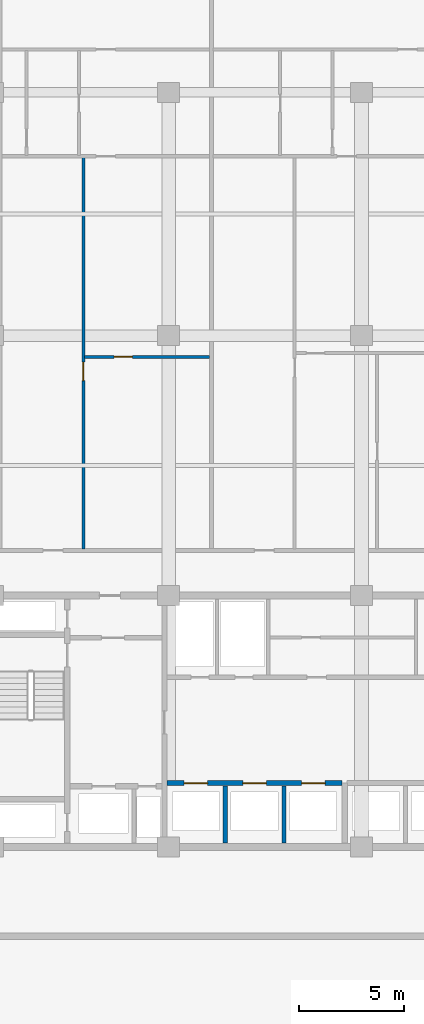
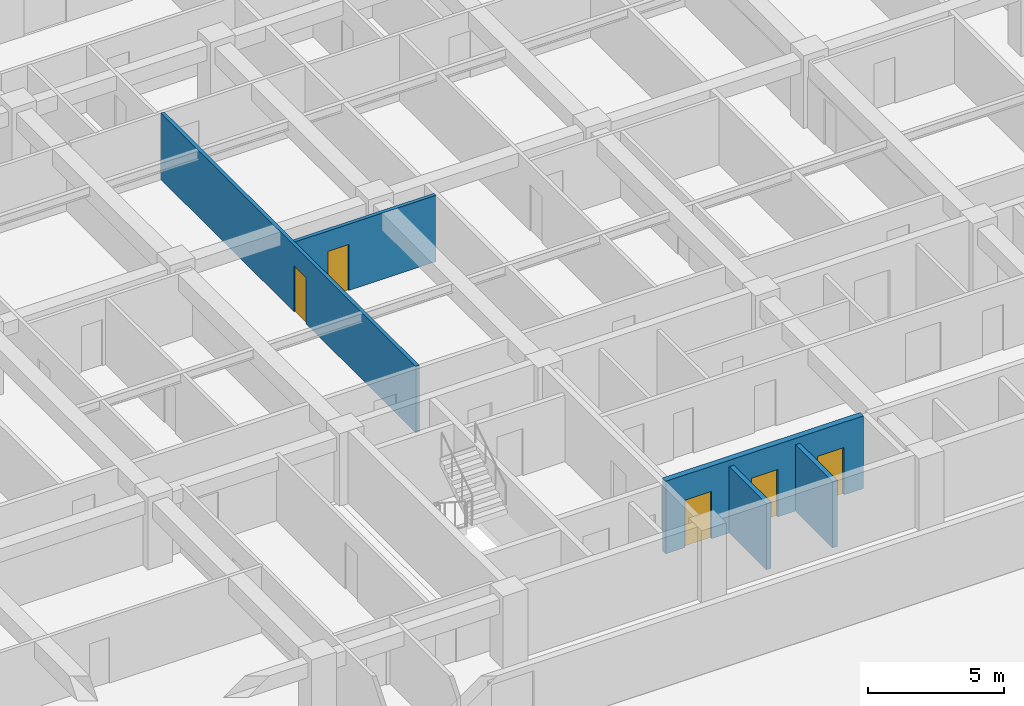
# One storey, part 10 of 24: 5 doors, 5 walls, 5 openings.
"""IFC4 building model written with IfcOpenShell, lengths in metres."""

from ifc_helpers import new_model, si_unit, direction, frame, frame_2d, origin, place, context, subcontext, project, spatial, rectangle, extrude, material, layer, layer_set, type_object, element, fill, save


model = new_model("IFC4")

# Units and contexts
model_context = context("Model", 3, precision=1e-05, world=origin(), true_north=direction((0.0, 1.0)))
body_context = subcontext(model_context, "Body", "Model", "MODEL_VIEW")
ifc_project = project(units=[si_unit("LENGTHUNIT", "METRE"), si_unit("AREAUNIT", "SQUARE_METRE"), si_unit("VOLUMEUNIT", "CUBIC_METRE"), si_unit("PLANEANGLEUNIT", "RADIAN"), si_unit("MASSUNIT", "GRAM", prefix="KILO")], contexts=[model_context])

# Site, building, storey
site_placement = place(None, origin())
site = spatial("IfcSite", under=ifc_project, at=site_placement, CompositionType="ELEMENT")
building_placement = place(site_placement, origin())
building = spatial("IfcBuilding", under=site, at=building_placement, Name="Korimba Cascade Residences", CompositionType="ELEMENT")
storey_placement = place(building_placement, frame((0.0, 0.0, 24.0)))
storey = spatial("IfcBuildingStorey", under=building, at=storey_placement, Name="L05", CompositionType="ELEMENT", Elevation=24.0)

# Wall, opening, door
ifc_material_1 = material(Name="Insulated Acoustic Stud Partition", Category="gypsum")
ifc_layer_1 = layer(ifc_material_1, 0.14990234375)
ifc_layer_set_1 = layer_set([ifc_layer_1], Name="Insulated Acoustic Stud Partition")
wall_type_1 = type_object("IfcWallType", Name="WAL-PART-150", PredefinedType="PARTITIONING", material=ifc_layer_set_1)
wall_1_placement = place(storey_placement, frame((80.49365234375, 78.580078125, 0.0), z_axis=(0.0, 0.0, 1.0), x_axis=(1.0, 0.0, 0.0)))
wall_1 = element("IfcWall", 1, at=wall_1_placement, inside=storey, type_object=wall_type_1, Name="L05 Partition Wall WAL-L05-T1-U03-FMH", PredefinedType="PARTITIONING", context=body_context, shape_type="SweptSolid", body=[
    extrude(rectangle(XDim=5.9677734375, YDim=0.14990234375, at=frame_2d((2.98388671875, 0.0))), origin(), (0.0, 0.0, 1.0), 2.969970703125),
])
opening_1_placement = place(wall_1_placement, frame((1.403076171875, 0.0, 0.0)))
opening_1 = element("IfcOpeningElement", 2, at=opening_1_placement, cuts=wall_1, Name="Opening D-IN2", PredefinedType="OPENING", context=body_context, shape_type="SweptSolid", body=[
    extrude(rectangle(XDim=0.8798828125, YDim=2.06005859375, at=frame_2d((0.43994140625, 1.030029296875))), frame((0.0, 0.0849609375, 0.0), z_axis=(0.0, -1.0, 0.0), x_axis=(1.0, 0.0, 0.0)), (0.0, 0.0, 1.0), 0.169921875),
])
ifc_material_2 = material(Name="Acoustic Timber Bedroom Door", Category="wood")
door_type_1 = type_object("IfcDoorType", Name="DR-INT-880", OperationType="NOTDEFINED", PredefinedType="DOOR", material=ifc_material_2)
door_1_placement = place(opening_1_placement, origin())
door_1 = element("IfcDoor", 3, at=door_1_placement, inside=storey, type_object=door_type_1, Name="L05-T1-U03 Library Salon Door", OperationType="SINGLE_SWING_RIGHT", OverallHeight=2.06005859375, OverallWidth=0.8798828125, PredefinedType="DOOR", context=body_context, shape_type="SweptSolid", body=[
    extrude(rectangle(XDim=0.8798828125, YDim=2.06005859375, at=frame_2d((0.43994140625, 1.030029296875))), frame((0.0, 0.02490234375, 0.0), z_axis=(0.0, -1.0, 0.0), x_axis=(1.0, 0.0, 0.0)), (0.0, 0.0, 1.0), 0.050048828125),
])
fill(opening_1, door_1)

wall_2_placement = place(storey_placement, frame((80.43359375, 69.409912109375, 0.0), z_axis=(0.0, 0.0, 1.0), x_axis=(0.0, 1.0, 0.0)))
wall_2 = element("IfcWall", 4, at=wall_2_placement, inside=storey, type_object=wall_type_1, Name="L05 Partition Wall WAL-L05-T1-U03-FV", PredefinedType="PARTITIONING", context=body_context, shape_type="SweptSolid", body=[
    extrude(rectangle(XDim=18.7001953125, YDim=0.14990234375, at=frame_2d((9.35009765625, 0.0))), origin(), (0.0, 0.0, 1.0), 2.969970703125),
])
opening_2_placement = place(wall_2_placement, frame((8.0400390625, 0.0, 0.0)))
opening_2 = element("IfcOpeningElement", 5, at=opening_2_placement, cuts=wall_2, Name="Opening D-IN2", PredefinedType="OPENING", context=body_context, shape_type="SweptSolid", body=[
    extrude(rectangle(XDim=0.8798828125, YDim=2.06005859375, at=frame_2d((0.43994140625, 1.030029296875))), frame((0.0, 0.0849609375, 0.0), z_axis=(0.0, -1.0, 0.0), x_axis=(1.0, 0.0, 0.0)), (0.0, 0.0, 1.0), 0.169921875),
])
door_2_placement = place(opening_2_placement, origin())
door_2 = element("IfcDoor", 6, at=door_2_placement, inside=storey, type_object=door_type_1, Name="L05-T1-U03 Media Lounge Door", OperationType="SINGLE_SWING_LEFT", OverallHeight=2.06005859375, OverallWidth=0.8798828125, PredefinedType="DOOR", context=body_context, shape_type="SweptSolid", body=[
    extrude(rectangle(XDim=0.8798828125, YDim=2.06005859375, at=frame_2d((0.43994140625, 1.030029296875))), frame((0.0, 0.02490234375, 0.0), z_axis=(0.0, -1.0, 0.0), x_axis=(1.0, 0.0, 0.0)), (0.0, 0.0, 1.0), 0.050048828125),
])
fill(opening_2, door_2)

# Walls
ifc_material_3 = material(Name="Concrete C40/50", Category="concrete")
ifc_layer_2 = layer(ifc_material_3, 0.199951171875)
ifc_layer_set_2 = layer_set([ifc_layer_2], Name="Concrete C40/50")
wall_type_2 = type_object("IfcWallType", Name="WAL-PART-200", PredefinedType="PARTITIONING", material=ifc_layer_set_2)
for number, where, z_axis, x_axis, name in (
    (7, (87.199951171875, 55.39990234375, 0.0), (0.0, 0.0, 1.0), (0.0, 1.0, 0.0), "L05 Partition Wall CW-L05-T1-B1D1"),
    (8, (90.0, 55.39990234375, 0.0), (0.0, 0.0, 1.0), (0.0, 1.0, 0.0), "L05 Partition Wall CW-L05-T1-B1D2"),
):
    element("IfcWall", number, at=place(storey_placement, frame(where, z_axis=z_axis, x_axis=x_axis)), inside=storey, type_object=wall_type_2, Name=name, PredefinedType="PARTITIONING", context=body_context, shape_type="SweptSolid", body=[
        extrude(rectangle(XDim=2.72021484375, YDim=0.199951171875, at=frame_2d((1.360107421875, 0.0))), origin(), (0.0, 0.0, 1.0), 2.969970703125),
    ])

# Wall, openings, doors
ifc_material_4 = material(Name="Concrete C50/60", Category="concrete")
ifc_layer_3 = layer(ifc_material_4, 0.25)
ifc_layer_set_3 = layer_set([ifc_layer_3], Name="Concrete C50/60")
wall_type_3 = type_object("IfcWallType", Name="WAL-SHAFT-250", PredefinedType="SHEAR", material=ifc_layer_set_3)
wall_3_placement = place(storey_placement, frame((84.419921875, 58.25, 0.0), z_axis=(0.0, 0.0, 1.0), x_axis=(1.0, 0.0, 0.0)))
wall_3 = element("IfcWall", 9, at=wall_3_placement, inside=storey, type_object=wall_type_3, Name="L05 Core Shear Wall CW-L05-T1-B1N", PredefinedType="SHEAR", context=body_context, shape_type="SweptSolid", body=[
    extrude(rectangle(XDim=8.360107421875, YDim=0.25, at=frame_2d((4.18017578125, 0.0))), origin(), (0.0, 0.0, 1.0), 3.25),
])
opening_3_placement = place(wall_3_placement, frame((0.820068359375, 0.0, 0.0)))
opening_3 = element("IfcOpeningElement", 10, at=opening_3_placement, cuts=wall_3, Name="Opening LD-01", PredefinedType="OPENING", context=body_context, shape_type="SweptSolid", body=[
    extrude(rectangle(XDim=1.1201171875, YDim=2.1201171875, at=frame_2d((0.56005859375, 1.06005859375))), frame((0.0, 0.135009765625, 0.0), z_axis=(0.0, -1.0, 0.0), x_axis=(1.0, 0.0, 0.0)), (0.0, 0.0, 1.0), 0.27001953125),
])
opening_4_placement = place(wall_3_placement, frame((3.6201171875, 0.0, 0.0)))
opening_4 = element("IfcOpeningElement", 11, at=opening_4_placement, cuts=wall_3, Name="Opening LD-01", PredefinedType="OPENING", context=body_context, shape_type="SweptSolid", body=[
    extrude(rectangle(XDim=1.1201171875, YDim=2.1201171875, at=frame_2d((0.56005859375, 1.06005859375))), frame((0.0, 0.135009765625, 0.0), z_axis=(0.0, -1.0, 0.0), x_axis=(1.0, 0.0, 0.0)), (0.0, 0.0, 1.0), 0.27001953125),
])
opening_5_placement = place(wall_3_placement, frame((6.419921875, 0.0, 0.0)))
opening_5 = element("IfcOpeningElement", 12, at=opening_5_placement, cuts=wall_3, Name="Opening LD-01", PredefinedType="OPENING", context=body_context, shape_type="SweptSolid", body=[
    extrude(rectangle(XDim=1.1201171875, YDim=2.1201171875, at=frame_2d((0.56005859375, 1.06005859375))), frame((0.0, 0.135009765625, 0.0), z_axis=(0.0, -1.0, 0.0), x_axis=(1.0, 0.0, 0.0)), (0.0, 0.0, 1.0), 0.27001953125),
])
ifc_material_5 = material(Name="Stainless Steel Lift Landing Sliding Door", Category="steel")
door_type_2 = type_object("IfcDoorType", Name="DR-LIFT-1100", OperationType="NOTDEFINED", PredefinedType="DOOR", material=ifc_material_5)
door_3_placement = place(opening_3_placement, origin())
door_3 = element("IfcDoor", 13, at=door_3_placement, inside=storey, type_object=door_type_2, Name="L05 Lift Landing Door PL-W1", OperationType="SLIDING_TO_LEFT", OverallHeight=2.1201171875, OverallWidth=1.1201171875, PredefinedType="DOOR", context=body_context, shape_type="SweptSolid", body=[
    extrude(rectangle(XDim=1.1201171875, YDim=2.1201171875, at=frame_2d((0.56005859375, 1.06005859375))), frame((0.0, 0.02490234375, 0.0), z_axis=(0.0, -1.0, 0.0), x_axis=(1.0, 0.0, 0.0)), (0.0, 0.0, 1.0), 0.050048828125),
])
fill(opening_3, door_3)
door_4_placement = place(opening_4_placement, origin())
door_4 = element("IfcDoor", 14, at=door_4_placement, inside=storey, type_object=door_type_2, Name="L05 Lift Landing Door PL-W2", OperationType="SLIDING_TO_LEFT", OverallHeight=2.1201171875, OverallWidth=1.1201171875, PredefinedType="DOOR", context=body_context, shape_type="SweptSolid", body=[
    extrude(rectangle(XDim=1.1201171875, YDim=2.1201171875, at=frame_2d((0.56005859375, 1.06005859375))), frame((0.0, 0.02490234375, 0.0), z_axis=(0.0, -1.0, 0.0), x_axis=(1.0, 0.0, 0.0)), (0.0, 0.0, 1.0), 0.050048828125),
])
fill(opening_4, door_4)
door_5_placement = place(opening_5_placement, origin())
door_5 = element("IfcDoor", 15, at=door_5_placement, inside=storey, type_object=door_type_2, Name="L05 Lift Landing Door PL-W3", OperationType="SLIDING_TO_LEFT", OverallHeight=2.1201171875, OverallWidth=1.1201171875, PredefinedType="DOOR", context=body_context, shape_type="SweptSolid", body=[
    extrude(rectangle(XDim=1.1201171875, YDim=2.1201171875, at=frame_2d((0.56005859375, 1.06005859375))), frame((0.0, 0.02490234375, 0.0), z_axis=(0.0, -1.0, 0.0), x_axis=(1.0, 0.0, 0.0)), (0.0, 0.0, 1.0), 0.050048828125),
])
fill(opening_5, door_5)

save(model, "model.ifc")
